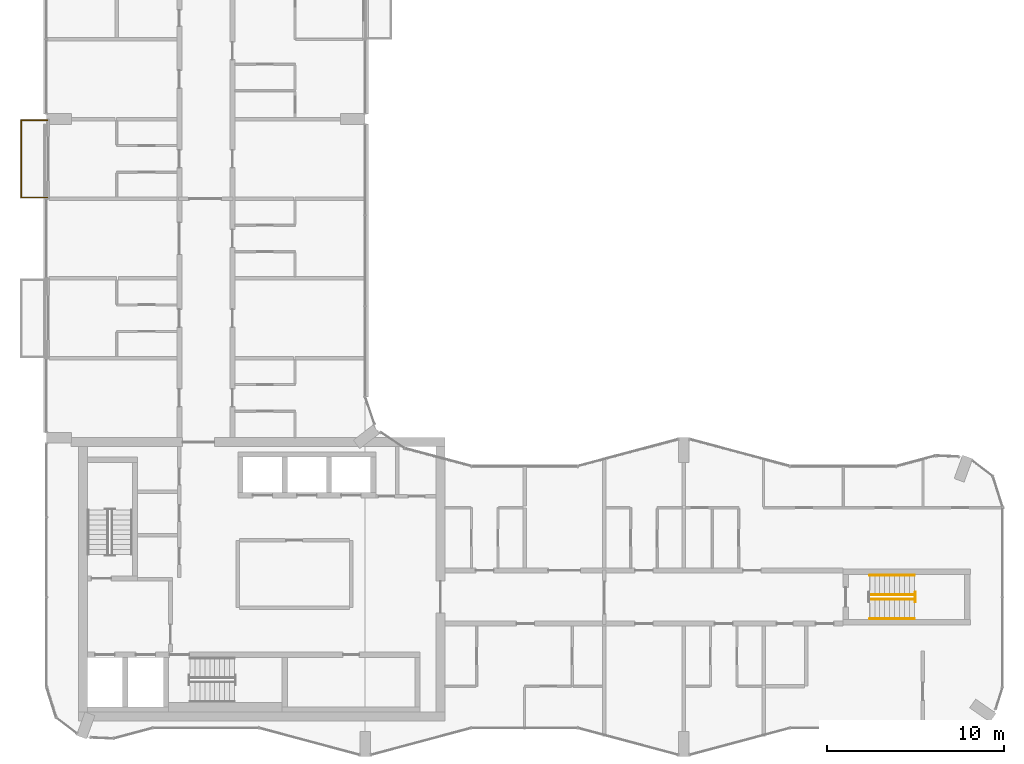
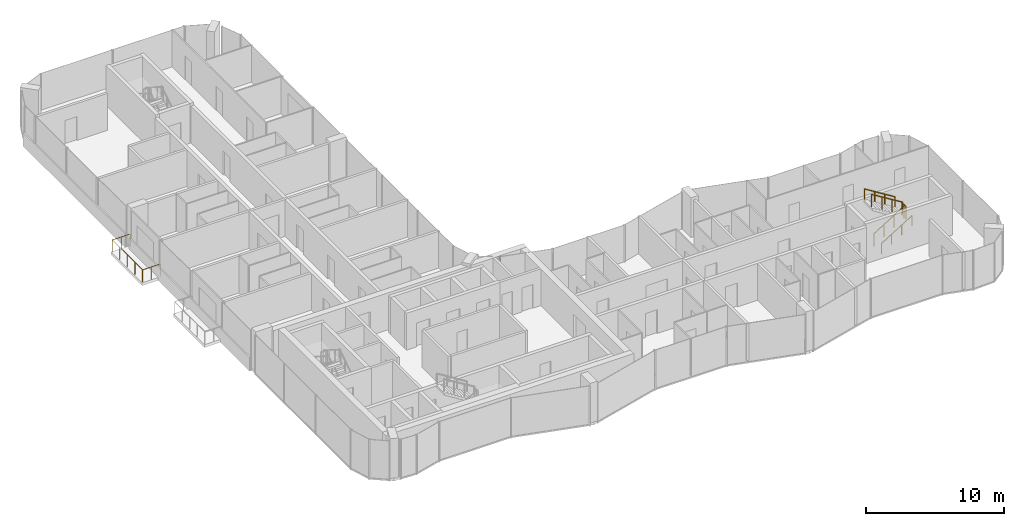
# One storey, part 15 of 16: 6 railings.
"""IFC4 building model written with IfcOpenShell, lengths in metres."""

from ifc_helpers import new_model, si_unit, direction, frame, origin, origin_2d, place, context, subcontext, project, spatial, circle, extrude, material, type_object, element, save


model = new_model("IFC4")

# Units and contexts
model_context = context("Model", 3, precision=1e-05, world=origin(), true_north=direction((0.0, 1.0)))
body_context = subcontext(model_context, "Body", "Model", "MODEL_VIEW")
ifc_project = project(units=[si_unit("LENGTHUNIT", "METRE"), si_unit("AREAUNIT", "SQUARE_METRE"), si_unit("VOLUMEUNIT", "CUBIC_METRE"), si_unit("PLANEANGLEUNIT", "RADIAN"), si_unit("MASSUNIT", "GRAM", prefix="KILO")], contexts=[model_context])

# Site, building, storey
site_placement = place(None, origin())
site = spatial("IfcSite", under=ifc_project, at=site_placement, CompositionType="ELEMENT")
building_placement = place(site_placement, origin())
building = spatial("IfcBuilding", under=site, at=building_placement, Name="Plateau Cross Towers", CompositionType="ELEMENT")
storey_placement = place(building_placement, frame((0.0, 0.0, 218.89990234375)))
storey = spatial("IfcBuildingStorey", under=building, at=storey_placement, Name="L57", CompositionType="ELEMENT", Elevation=218.89990234375)

# Railings
ifc_material_1 = material(Name="Stainless steel and toughened glass", Category="steel")
railing_type_1 = type_object("IfcRailingType", Name="Glass balustrade guard 1100", PredefinedType="GUARDRAIL", material=ifc_material_1)
railing_1_placement = place(storey_placement, frame((0.050048828125, 31.570068359375, 0.0)))
element("IfcRailing", 1, at=railing_1_placement, inside=storey, type_object=railing_type_1, Name="Guard guard1", PredefinedType="GUARDRAIL", context=body_context, shape_type="SweptSolid", body=[
    extrude(circle(Radius=0.02392578125, at=origin_2d()), frame((0.0, 0.0, 1.076171875), z_axis=(-1.0, 0.0, 0.0), x_axis=(0.0, -1.0, 0.0)), (0.0, 0.0, 1.0), 1.47998046875),
    extrude(circle(Radius=0.02392578125, at=origin_2d()), frame((-1.47998046875, 0.0, 1.076171875), z_axis=(0.0, 1.0, 0.0), x_axis=(-1.0, 0.0, 0.0)), (0.0, 0.0, 1.0), 4.35986328125),
    extrude(circle(Radius=0.02392578125, at=origin_2d()), frame((-1.47998046875, 4.35986328125, 1.076171875), z_axis=(1.0, 0.0, 0.0), x_axis=(0.0, 1.0, 0.0)), (0.0, 0.0, 1.0), 1.47998046875),
    extrude(circle(Radius=0.02099609375, at=origin_2d()), origin(), (0.0, 0.0, 1.0), 1.052001953125),
    extrude(circle(Radius=0.02099609375, at=origin_2d()), frame((-0.739990234375, 0.0, 0.0)), (0.0, 0.0, 1.0), 1.052001953125),
    extrude(circle(Radius=0.02099609375, at=origin_2d()), frame((-1.47998046875, 0.0, 0.0)), (0.0, 0.0, 1.0), 1.052001953125),
    extrude(circle(Radius=0.02099609375, at=origin_2d()), frame((-1.47998046875, 1.08984375, 0.0)), (0.0, 0.0, 1.0), 1.052001953125),
    extrude(circle(Radius=0.02099609375, at=origin_2d()), frame((-1.47998046875, 2.179931640625, 0.0)), (0.0, 0.0, 1.0), 1.052001953125),
    extrude(circle(Radius=0.02099609375, at=origin_2d()), frame((-1.47998046875, 3.27001953125, 0.0)), (0.0, 0.0, 1.0), 1.052001953125),
    extrude(circle(Radius=0.02099609375, at=origin_2d()), frame((-1.47998046875, 4.35986328125, 0.0)), (0.0, 0.0, 1.0), 1.052001953125),
    extrude(circle(Radius=0.02099609375, at=origin_2d()), frame((-0.739990234375, 4.35986328125, 0.0)), (0.0, 0.0, 1.0), 1.052001953125),
    extrude(circle(Radius=0.02099609375, at=origin_2d()), frame((0.0, 4.35986328125, 0.0)), (0.0, 0.0, 1.0), 1.052001953125),
])
railing_type_2 = type_object("IfcRailingType", Name="RL-GUARD-1100", PredefinedType="GUARDRAIL", material=ifc_material_1)
railing_2_placement = place(storey_placement, frame((46.5, 8.875, 0.175048828125)))
element("IfcRailing", 2, at=railing_2_placement, inside=storey, type_object=railing_type_2, Name="L57 ES-E stair guard 1", PredefinedType="GUARDRAIL", context=body_context, shape_type="SweptSolid", body=[
    extrude(circle(Radius=0.02392578125, at=origin_2d()), frame((0.0, 0.0, 1.076171875), z_axis=(0.848007534815, 0.0, 0.529984170421), x_axis=(0.0, 1.0, 0.0)), (0.0, 0.0, 1.0), 2.9716796875),
    extrude(circle(Radius=0.02099609375, at=origin_2d()), origin(), (0.0, 0.0, 1.0), 1.052001953125),
    extrude(circle(Radius=0.02099609375, at=origin_2d()), frame((0.840087890625, 0.0, 0.52490234375)), (0.0, 0.0, 1.0), 1.052001953125),
    extrude(circle(Radius=0.02099609375, at=origin_2d()), frame((1.679931640625, 0.0, 1.050048828125)), (0.0, 0.0, 1.0), 1.052001953125),
    extrude(circle(Radius=0.02099609375, at=origin_2d()), frame((2.52001953125, 0.0, 1.574951171875)), (0.0, 0.0, 1.0), 1.052001953125),
])
railing_3_placement = place(storey_placement, frame((49.070068359375, 8.72509765625, 1.75)))
element("IfcRailing", 3, at=railing_3_placement, inside=storey, type_object=railing_type_2, Name="L57 ES-E stair guard 2", PredefinedType="GUARDRAIL", context=body_context, shape_type="SweptSolid", body=[
    extrude(circle(Radius=0.02392578125, at=origin_2d()), frame((0.0, 0.0, 1.076171875), z_axis=(0.0, 1.0, 0.0), x_axis=(-1.0, 0.0, 0.0)), (0.0, 0.0, 1.0), 0.5498046875),
    extrude(circle(Radius=0.02099609375, at=origin_2d()), origin(), (0.0, 0.0, 1.0), 1.052001953125),
    extrude(circle(Radius=0.02099609375, at=origin_2d()), frame((0.0, 0.5498046875, 0.0)), (0.0, 0.0, 1.0), 1.052001953125),
])
railing_4_placement = place(storey_placement, frame((49.02001953125, 9.125, 1.925048828125)))
element("IfcRailing", 4, at=railing_4_placement, inside=storey, type_object=railing_type_2, Name="L57 ES-E stair guard 3", PredefinedType="GUARDRAIL", context=body_context, shape_type="SweptSolid", body=[
    extrude(circle(Radius=0.02392578125, at=origin_2d()), frame((0.0, 0.0, 1.076171875), z_axis=(-0.852638500773, 0.0, 0.522501279423), x_axis=(0.0, -1.0, 0.0)), (0.0, 0.0, 1.0), 3.01416015625),
    extrude(circle(Radius=0.02099609375, at=origin_2d()), origin(), (0.0, 0.0, 1.0), 1.052001953125),
    extrude(circle(Radius=0.02099609375, at=origin_2d()), frame((-0.856689453125, 0.0, 0.52490234375)), (0.0, 0.0, 1.0), 1.052001953125),
    extrude(circle(Radius=0.02099609375, at=origin_2d()), frame((-1.71337890625, 0.0, 1.050048828125)), (0.0, 0.0, 1.0), 1.052001953125),
    extrude(circle(Radius=0.02099609375, at=origin_2d()), frame((-2.570068359375, 0.0, 1.574951171875)), (0.0, 0.0, 1.0), 1.052001953125),
])
ifc_material_2 = material(Name="Black anodised aluminium", Category="aluminium")
railing_type_3 = type_object("IfcRailingType", Name="RL-HANDRAIL-900", PredefinedType="HANDRAIL", material=ifc_material_2)
railing_5_placement = place(storey_placement, frame((46.5, 7.77490234375, 0.175048828125)))
element("IfcRailing", 5, at=railing_5_placement, inside=storey, type_object=railing_type_3, Name="L57 ES-E stair handrail 1", PredefinedType="HANDRAIL", context=body_context, shape_type="SweptSolid", body=[
    extrude(circle(Radius=0.02392578125, at=origin_2d()), frame((0.0, 0.0, 0.8759765625), z_axis=(0.848007534815, 0.0, 0.529984170421), x_axis=(0.0, 1.0, 0.0)), (0.0, 0.0, 1.0), 2.9716796875),
    extrude(circle(Radius=0.02099609375, at=origin_2d()), origin(), (0.0, 0.0, 1.0), 0.851806640625),
    extrude(circle(Radius=0.02099609375, at=origin_2d()), frame((0.840087890625, 0.0, 0.52490234375)), (0.0, 0.0, 1.0), 0.851806640625),
    extrude(circle(Radius=0.02099609375, at=origin_2d()), frame((1.679931640625, 0.0, 1.050048828125)), (0.0, 0.0, 1.0), 0.851806640625),
    extrude(circle(Radius=0.02099609375, at=origin_2d()), frame((2.52001953125, 0.0, 1.574951171875)), (0.0, 0.0, 1.0), 0.851806640625),
])
railing_6_placement = place(storey_placement, frame((49.02001953125, 10.22509765625, 1.925048828125)))
element("IfcRailing", 6, at=railing_6_placement, inside=storey, type_object=railing_type_3, Name="L57 ES-E stair handrail 2", PredefinedType="HANDRAIL", context=body_context, shape_type="SweptSolid", body=[
    extrude(circle(Radius=0.02392578125, at=origin_2d()), frame((0.0, 0.0, 0.8759765625), z_axis=(-0.848007534815, 0.0, 0.529984170421), x_axis=(0.0, -1.0, 0.0)), (0.0, 0.0, 1.0), 2.9716796875),
    extrude(circle(Radius=0.02099609375, at=origin_2d()), origin(), (0.0, 0.0, 1.0), 0.851806640625),
    extrude(circle(Radius=0.02099609375, at=origin_2d()), frame((-0.840087890625, 0.0, 0.52490234375)), (0.0, 0.0, 1.0), 0.851806640625),
    extrude(circle(Radius=0.02099609375, at=origin_2d()), frame((-1.679931640625, 0.0, 1.050048828125)), (0.0, 0.0, 1.0), 0.851806640625),
    extrude(circle(Radius=0.02099609375, at=origin_2d()), frame((-2.52001953125, 0.0, 1.574951171875)), (0.0, 0.0, 1.0), 0.851806640625),
])

save(model, "model.ifc")
